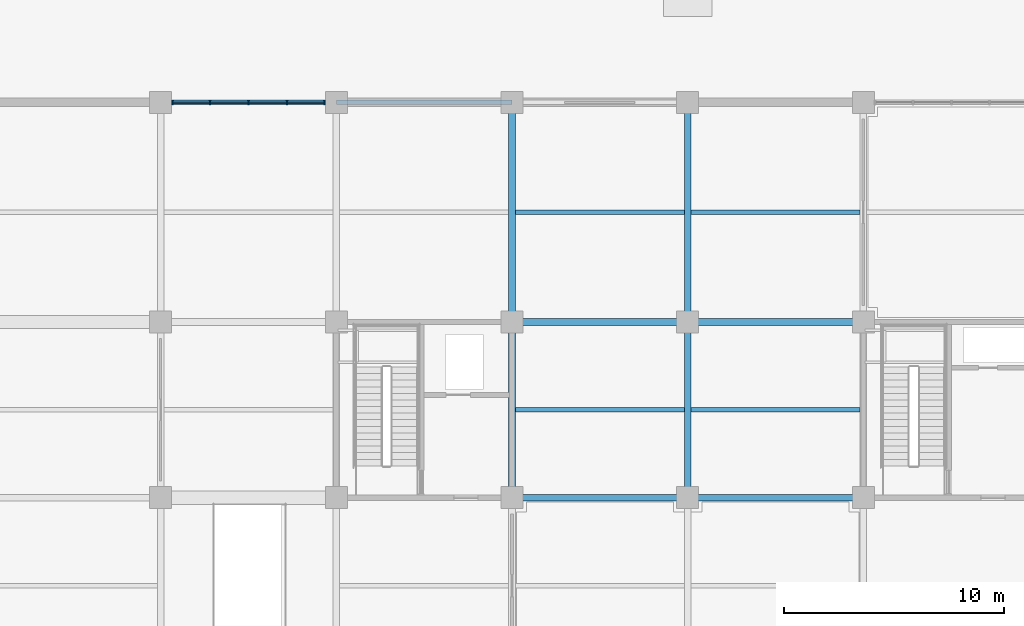
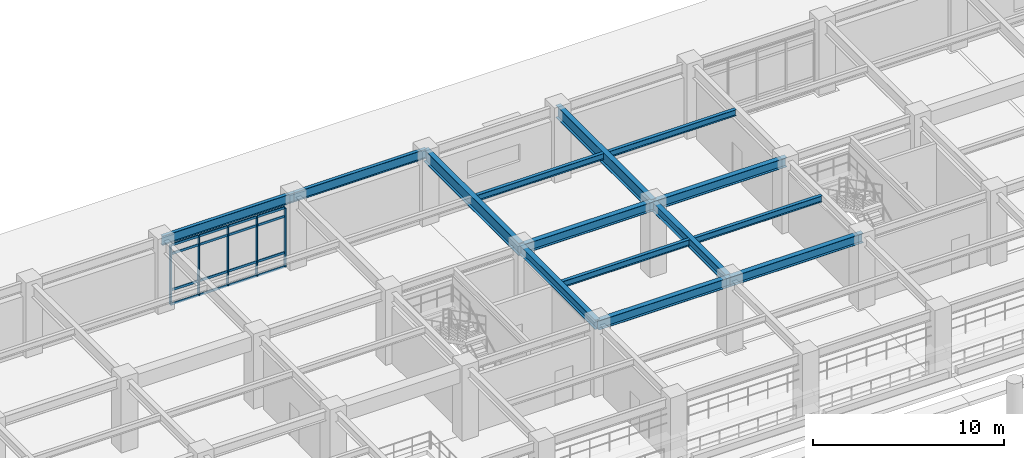
# One storey, part 46 of 117: 21 members, 14 beams, 1 element without a shape of its own.
"""IFC4 building model written with IfcOpenShell, lengths in metres."""

from ifc_helpers import new_model, si_unit, direction, frame, origin, origin_2d, place, context, subcontext, project, spatial, rectangle, i_section, extrude, material, layer, layer_set, material_profile, profile_set, type_object, element, aggregate, save


model = new_model("IFC4")

# Units and contexts
model_context = context("Model", 3, precision=1e-05, world=origin(), true_north=direction((0.0, 1.0)))
body_context = subcontext(model_context, "Body", "Model", "MODEL_VIEW")
ifc_project = project(units=[si_unit("LENGTHUNIT", "METRE"), si_unit("AREAUNIT", "SQUARE_METRE"), si_unit("VOLUMEUNIT", "CUBIC_METRE"), si_unit("PLANEANGLEUNIT", "RADIAN"), si_unit("MASSUNIT", "GRAM", prefix="KILO")], contexts=[model_context])

# Site, building, storey
site_placement = place(None, origin())
site = spatial("IfcSite", under=ifc_project, at=site_placement, CompositionType="ELEMENT")
building_placement = place(site_placement, origin())
building = spatial("IfcBuilding", under=site, at=building_placement, Name="Haebicheon Civic Stadium", CompositionType="ELEMENT")
storey_placement = place(building_placement, frame((0.0, 0.0, 4.800048828125)))
storey = spatial("IfcBuildingStorey", under=building, at=storey_placement, Name="L02", CompositionType="ELEMENT", Elevation=4.800048828125)

# Beams
ifc_material_1 = material(Name="Steel SM355 (S355)", Category="steel")
ifc_material_profile_1 = material_profile(ifc_material_1, i_section(OverallWidth=0.300048828125, OverallDepth=0.60009765625, WebThickness=0.011962890625, FlangeThickness=0.02001953125, at=origin_2d()), Name="H-600x300x12x20")
ifc_profile_set_1 = profile_set([ifc_material_profile_1], Name="Steel SM355 (S355)")
beam_type_1 = type_object("IfcBeamType", Name="BM-ST-H600A", PredefinedType="BEAM", material=ifc_profile_set_1)
for number, where, z_axis, x_axis, name in (
    (1, (96.0, 160.0, 4.219970703125), (0.0, 1.0, 0.0), (-1.0, 0.0, 0.0), "L02 girder 13/W-X"),
    (2, (104.0, 160.0, 4.219970703125), (0.0, 1.0, 0.0), (-1.0, 0.0, 0.0), "L02 girder 14/W-X"),
    (3, (96.0, 160.0, 4.219970703125), (1.0, 0.0, 0.0), (0.0, 1.0, 0.0), "L02 beam W/13-14"),
    (4, (96.0, 168.0, 4.219970703125), (1.0, 0.0, 0.0), (0.0, 1.0, 0.0), "L02 beam X/13-14"),
    (5, (104.0, 160.0, 4.219970703125), (1.0, 0.0, 0.0), (0.0, 1.0, 0.0), "L02 beam W/14-15"),
    (6, (104.0, 168.0, 4.219970703125), (1.0, 0.0, 0.0), (0.0, 1.0, 0.0), "L02 beam X/14-15"),
):
    element("IfcBeam", number, at=place(storey_placement, frame(where, z_axis=z_axis, x_axis=x_axis)), inside=storey, type_object=beam_type_1, material=ifc_profile_set_1, Name=name, PredefinedType="BEAM", context=body_context, shape_type="SweptSolid", body=[
        extrude(i_section(OverallWidth=0.300048828125, OverallDepth=0.60009765625, WebThickness=0.011962890625, FlangeThickness=0.02001953125, at=origin_2d()), origin(), (0.0, 0.0, 1.0), 8.0),
    ])
ifc_material_2 = material(Name="Steel SM490", Category="steel")
ifc_material_profile_2 = material_profile(ifc_material_2, i_section(OverallWidth=0.300048828125, OverallDepth=0.800048828125, WebThickness=0.013916015625, FlangeThickness=0.02587890625, at=origin_2d()), Name="H-800x300x14x26")
ifc_profile_set_2 = profile_set([ifc_material_profile_2], Name="Steel SM490")
beam_type_2 = type_object("IfcBeamType", Name="BM-ST-H800", PredefinedType="BEAM", material=ifc_profile_set_2)
for number, where, z_axis, x_axis, name in (
    (7, (96.0, 168.0, 4.179931640625), (0.0, 1.0, 0.0), (-1.0, 0.0, 0.0), "L02 girder 13/X-Y"),
    (8, (104.0, 168.0, 4.179931640625), (0.0, 1.0, 0.0), (-1.0, 0.0, 0.0), "L02 girder 14/X-Y"),
):
    element("IfcBeam", number, at=place(storey_placement, frame(where, z_axis=z_axis, x_axis=x_axis)), inside=storey, type_object=beam_type_2, material=ifc_profile_set_2, Name=name, PredefinedType="BEAM", context=body_context, shape_type="SweptSolid", body=[
        extrude(i_section(OverallWidth=0.300048828125, OverallDepth=0.800048828125, WebThickness=0.013916015625, FlangeThickness=0.02587890625, at=origin_2d()), origin(), (0.0, 0.0, 1.0), 10.0),
    ])

# Curtain wall, members
ifc_material_3 = material(Name="Anodised aluminium and laminated glass", Category="aluminium")
ifc_layer = layer(ifc_material_3, 0.179931640625, Name="Anodised aluminium and laminated glass")
ifc_layer_set = layer_set([ifc_layer], Name="Anodised aluminium and laminated glass")
curtain_wall_type = type_object("IfcCurtainWallType", Name="CW-7000x3770", PredefinedType="NOTDEFINED", material=ifc_layer_set)
curtain_wall_placement = place(storey_placement, origin())
curtain_wall = element("IfcCurtainWall", 9, at=curtain_wall_placement, inside=storey, type_object=curtain_wall_type, material=ifc_layer_set, Name="L02 unitised curtain wall 046", PredefinedType="NOTDEFINED")
ifc_material_4 = material(Name="Anodised aluminium 6063-T6", Category="aluminium")
ifc_material_profile_3 = material_profile(ifc_material_4, rectangle(XDim=0.070068359375, YDim=0.199951171875, at=origin_2d()), Name="ALU-MULL-70x200")
ifc_profile_set_3 = profile_set([ifc_material_profile_3], Name="Anodised aluminium 6063-T6")
member_type_1 = type_object("IfcMemberType", Name="CWM-200x70", PredefinedType="MULLION", material=ifc_profile_set_3)
member_1_placement = place(storey_placement, frame((80.534912109375, 178.0, 0.0), z_axis=(0.0, 0.0, 1.0), x_axis=(1.0, 0.0, 0.0)))
member_1 = element("IfcMember", 10, at=member_1_placement, type_object=member_type_1, material=ifc_profile_set_3, Name="CW-L02-046 vertical mullion 1", PredefinedType="MULLION", context=body_context, shape_type="SweptSolid", body=[
    extrude(rectangle(XDim=0.070068359375, YDim=0.199951171875, at=origin_2d()), origin(), (0.0, 0.0, 1.0), 3.77001953125),
])
member_2_placement = place(storey_placement, frame((82.25, 178.0, 0.0), z_axis=(0.0, 0.0, 1.0), x_axis=(1.0, 0.0, 0.0)))
member_2 = element("IfcMember", 11, at=member_2_placement, type_object=member_type_1, material=ifc_profile_set_3, Name="CW-L02-046 vertical mullion 2", PredefinedType="MULLION", context=body_context, shape_type="SweptSolid", body=[
    extrude(rectangle(XDim=0.070068359375, YDim=0.199951171875, at=origin_2d()), origin(), (0.0, 0.0, 1.0), 3.77001953125),
])
member_3_placement = place(storey_placement, frame((84.0, 178.0, 0.0), z_axis=(0.0, 0.0, 1.0), x_axis=(1.0, 0.0, 0.0)))
member_3 = element("IfcMember", 12, at=member_3_placement, type_object=member_type_1, material=ifc_profile_set_3, Name="CW-L02-046 vertical mullion 3", PredefinedType="MULLION", context=body_context, shape_type="SweptSolid", body=[
    extrude(rectangle(XDim=0.070068359375, YDim=0.199951171875, at=origin_2d()), origin(), (0.0, 0.0, 1.0), 3.77001953125),
])
member_4_placement = place(storey_placement, frame((85.75, 178.0, 0.0), z_axis=(0.0, 0.0, 1.0), x_axis=(1.0, 0.0, 0.0)))
member_4 = element("IfcMember", 13, at=member_4_placement, type_object=member_type_1, material=ifc_profile_set_3, Name="CW-L02-046 vertical mullion 4", PredefinedType="MULLION", context=body_context, shape_type="SweptSolid", body=[
    extrude(rectangle(XDim=0.070068359375, YDim=0.199951171875, at=origin_2d()), origin(), (0.0, 0.0, 1.0), 3.77001953125),
])
member_5_placement = place(storey_placement, frame((87.465087890625, 178.0, 0.0), z_axis=(0.0, 0.0, 1.0), x_axis=(1.0, 0.0, 0.0)))
member_5 = element("IfcMember", 14, at=member_5_placement, type_object=member_type_1, material=ifc_profile_set_3, Name="CW-L02-046 vertical mullion 5", PredefinedType="MULLION", context=body_context, shape_type="SweptSolid", body=[
    extrude(rectangle(XDim=0.070068359375, YDim=0.199951171875, at=origin_2d()), origin(), (0.0, 0.0, 1.0), 3.77001953125),
])
ifc_material_5 = material(Name="Anodised aluminium 6063-T6", Category="aluminium")
ifc_material_profile_4 = material_profile(ifc_material_5, rectangle(XDim=0.070068359375, YDim=0.14990234375, at=origin_2d()), Name="ALU-TRAN-70x150")
ifc_profile_set_4 = profile_set([ifc_material_profile_4], Name="Anodised aluminium 6063-T6")
member_type_2 = type_object("IfcMemberType", Name="CWT-150x70", PredefinedType="NOTDEFINED", material=ifc_profile_set_4)
member_6_placement = place(storey_placement, frame((80.570068359375, 178.0, 0.0), z_axis=(1.0, 0.0, 0.0), x_axis=(0.0, 1.0, 0.0)))
member_6 = element("IfcMember", 15, at=member_6_placement, type_object=member_type_2, material=ifc_profile_set_4, Name="CW-L02-046 horizontal transom 1.1", ObjectType="TRANSOM", PredefinedType="USERDEFINED", context=body_context, shape_type="SweptSolid", body=[
    extrude(rectangle(XDim=0.070068359375, YDim=0.14990234375, at=origin_2d()), origin(), (0.0, 0.0, 1.0), 1.64501953125),
])
member_7_placement = place(storey_placement, frame((80.570068359375, 178.0, 0.89990234375), z_axis=(1.0, 0.0, 0.0), x_axis=(0.0, 1.0, 0.0)))
member_7 = element("IfcMember", 16, at=member_7_placement, type_object=member_type_2, material=ifc_profile_set_4, Name="CW-L02-046 horizontal transom 1.2", ObjectType="TRANSOM", PredefinedType="USERDEFINED", context=body_context, shape_type="SweptSolid", body=[
    extrude(rectangle(XDim=0.070068359375, YDim=0.14990234375, at=origin_2d()), origin(), (0.0, 0.0, 1.0), 1.64501953125),
])
member_8_placement = place(storey_placement, frame((80.570068359375, 178.0, 3.219970703125), z_axis=(1.0, 0.0, 0.0), x_axis=(0.0, 1.0, 0.0)))
member_8 = element("IfcMember", 17, at=member_8_placement, type_object=member_type_2, material=ifc_profile_set_4, Name="CW-L02-046 horizontal transom 1.3", ObjectType="TRANSOM", PredefinedType="USERDEFINED", context=body_context, shape_type="SweptSolid", body=[
    extrude(rectangle(XDim=0.070068359375, YDim=0.14990234375, at=origin_2d()), origin(), (0.0, 0.0, 1.0), 1.64501953125),
])
member_9_placement = place(storey_placement, frame((80.570068359375, 178.0, 3.77001953125), z_axis=(1.0, 0.0, 0.0), x_axis=(0.0, 1.0, 0.0)))
member_9 = element("IfcMember", 18, at=member_9_placement, type_object=member_type_2, material=ifc_profile_set_4, Name="CW-L02-046 horizontal transom 1.4", ObjectType="TRANSOM", PredefinedType="USERDEFINED", context=body_context, shape_type="SweptSolid", body=[
    extrude(rectangle(XDim=0.070068359375, YDim=0.14990234375, at=origin_2d()), origin(), (0.0, 0.0, 1.0), 1.64501953125),
])
member_10_placement = place(storey_placement, frame((82.284912109375, 178.0, 0.0), z_axis=(1.0, 0.0, 0.0), x_axis=(0.0, 1.0, 0.0)))
member_10 = element("IfcMember", 19, at=member_10_placement, type_object=member_type_2, material=ifc_profile_set_4, Name="CW-L02-046 horizontal transom 2.1", ObjectType="TRANSOM", PredefinedType="USERDEFINED", context=body_context, shape_type="SweptSolid", body=[
    extrude(rectangle(XDim=0.070068359375, YDim=0.14990234375, at=origin_2d()), origin(), (0.0, 0.0, 1.0), 1.68017578125),
])
member_11_placement = place(storey_placement, frame((82.284912109375, 178.0, 0.89990234375), z_axis=(1.0, 0.0, 0.0), x_axis=(0.0, 1.0, 0.0)))
member_11 = element("IfcMember", 20, at=member_11_placement, type_object=member_type_2, material=ifc_profile_set_4, Name="CW-L02-046 horizontal transom 2.2", ObjectType="TRANSOM", PredefinedType="USERDEFINED", context=body_context, shape_type="SweptSolid", body=[
    extrude(rectangle(XDim=0.070068359375, YDim=0.14990234375, at=origin_2d()), origin(), (0.0, 0.0, 1.0), 1.68017578125),
])
member_12_placement = place(storey_placement, frame((82.284912109375, 178.0, 3.219970703125), z_axis=(1.0, 0.0, 0.0), x_axis=(0.0, 1.0, 0.0)))
member_12 = element("IfcMember", 21, at=member_12_placement, type_object=member_type_2, material=ifc_profile_set_4, Name="CW-L02-046 horizontal transom 2.3", ObjectType="TRANSOM", PredefinedType="USERDEFINED", context=body_context, shape_type="SweptSolid", body=[
    extrude(rectangle(XDim=0.070068359375, YDim=0.14990234375, at=origin_2d()), origin(), (0.0, 0.0, 1.0), 1.68017578125),
])
member_13_placement = place(storey_placement, frame((82.284912109375, 178.0, 3.77001953125), z_axis=(1.0, 0.0, 0.0), x_axis=(0.0, 1.0, 0.0)))
member_13 = element("IfcMember", 22, at=member_13_placement, type_object=member_type_2, material=ifc_profile_set_4, Name="CW-L02-046 horizontal transom 2.4", ObjectType="TRANSOM", PredefinedType="USERDEFINED", context=body_context, shape_type="SweptSolid", body=[
    extrude(rectangle(XDim=0.070068359375, YDim=0.14990234375, at=origin_2d()), origin(), (0.0, 0.0, 1.0), 1.68017578125),
])
member_14_placement = place(storey_placement, frame((84.034912109375, 178.0, 0.0), z_axis=(1.0, 0.0, 0.0), x_axis=(0.0, 1.0, 0.0)))
member_14 = element("IfcMember", 23, at=member_14_placement, type_object=member_type_2, material=ifc_profile_set_4, Name="CW-L02-046 horizontal transom 3.1", ObjectType="TRANSOM", PredefinedType="USERDEFINED", context=body_context, shape_type="SweptSolid", body=[
    extrude(rectangle(XDim=0.070068359375, YDim=0.14990234375, at=origin_2d()), origin(), (0.0, 0.0, 1.0), 1.68017578125),
])
member_15_placement = place(storey_placement, frame((84.034912109375, 178.0, 0.89990234375), z_axis=(1.0, 0.0, 0.0), x_axis=(0.0, 1.0, 0.0)))
member_15 = element("IfcMember", 24, at=member_15_placement, type_object=member_type_2, material=ifc_profile_set_4, Name="CW-L02-046 horizontal transom 3.2", ObjectType="TRANSOM", PredefinedType="USERDEFINED", context=body_context, shape_type="SweptSolid", body=[
    extrude(rectangle(XDim=0.070068359375, YDim=0.14990234375, at=origin_2d()), origin(), (0.0, 0.0, 1.0), 1.68017578125),
])
member_16_placement = place(storey_placement, frame((84.034912109375, 178.0, 3.219970703125), z_axis=(1.0, 0.0, 0.0), x_axis=(0.0, 1.0, 0.0)))
member_16 = element("IfcMember", 25, at=member_16_placement, type_object=member_type_2, material=ifc_profile_set_4, Name="CW-L02-046 horizontal transom 3.3", ObjectType="TRANSOM", PredefinedType="USERDEFINED", context=body_context, shape_type="SweptSolid", body=[
    extrude(rectangle(XDim=0.070068359375, YDim=0.14990234375, at=origin_2d()), origin(), (0.0, 0.0, 1.0), 1.68017578125),
])
member_17_placement = place(storey_placement, frame((84.034912109375, 178.0, 3.77001953125), z_axis=(1.0, 0.0, 0.0), x_axis=(0.0, 1.0, 0.0)))
member_17 = element("IfcMember", 26, at=member_17_placement, type_object=member_type_2, material=ifc_profile_set_4, Name="CW-L02-046 horizontal transom 3.4", ObjectType="TRANSOM", PredefinedType="USERDEFINED", context=body_context, shape_type="SweptSolid", body=[
    extrude(rectangle(XDim=0.070068359375, YDim=0.14990234375, at=origin_2d()), origin(), (0.0, 0.0, 1.0), 1.68017578125),
])
member_18_placement = place(storey_placement, frame((85.784912109375, 178.0, 0.0), z_axis=(1.0, 0.0, 0.0), x_axis=(0.0, 1.0, 0.0)))
member_18 = element("IfcMember", 27, at=member_18_placement, type_object=member_type_2, material=ifc_profile_set_4, Name="CW-L02-046 horizontal transom 4.1", ObjectType="TRANSOM", PredefinedType="USERDEFINED", context=body_context, shape_type="SweptSolid", body=[
    extrude(rectangle(XDim=0.070068359375, YDim=0.14990234375, at=origin_2d()), origin(), (0.0, 0.0, 1.0), 1.64501953125),
])
member_19_placement = place(storey_placement, frame((85.784912109375, 178.0, 0.89990234375), z_axis=(1.0, 0.0, 0.0), x_axis=(0.0, 1.0, 0.0)))
member_19 = element("IfcMember", 28, at=member_19_placement, type_object=member_type_2, material=ifc_profile_set_4, Name="CW-L02-046 horizontal transom 4.2", ObjectType="TRANSOM", PredefinedType="USERDEFINED", context=body_context, shape_type="SweptSolid", body=[
    extrude(rectangle(XDim=0.070068359375, YDim=0.14990234375, at=origin_2d()), origin(), (0.0, 0.0, 1.0), 1.64501953125),
])
member_20_placement = place(storey_placement, frame((85.784912109375, 178.0, 3.219970703125), z_axis=(1.0, 0.0, 0.0), x_axis=(0.0, 1.0, 0.0)))
member_20 = element("IfcMember", 29, at=member_20_placement, type_object=member_type_2, material=ifc_profile_set_4, Name="CW-L02-046 horizontal transom 4.3", ObjectType="TRANSOM", PredefinedType="USERDEFINED", context=body_context, shape_type="SweptSolid", body=[
    extrude(rectangle(XDim=0.070068359375, YDim=0.14990234375, at=origin_2d()), origin(), (0.0, 0.0, 1.0), 1.64501953125),
])
member_21_placement = place(storey_placement, frame((85.784912109375, 178.0, 3.77001953125), z_axis=(1.0, 0.0, 0.0), x_axis=(0.0, 1.0, 0.0)))
member_21 = element("IfcMember", 30, at=member_21_placement, type_object=member_type_2, material=ifc_profile_set_4, Name="CW-L02-046 horizontal transom 4.4", ObjectType="TRANSOM", PredefinedType="USERDEFINED", context=body_context, shape_type="SweptSolid", body=[
    extrude(rectangle(XDim=0.070068359375, YDim=0.14990234375, at=origin_2d()), origin(), (0.0, 0.0, 1.0), 1.64501953125),
])
aggregate(curtain_wall, [member_1, member_2, member_3, member_4, member_5, member_6, member_7, member_8, member_9, member_10, member_11, member_12, member_13, member_14, member_15, member_16, member_17, member_18, member_19, member_20, member_21])

# Beams
ifc_material_6 = material(Name="Steel SM355 (S355)", Category="steel")
ifc_material_profile_5 = material_profile(ifc_material_6, i_section(OverallWidth=0.199951171875, OverallDepth=0.39990234375, WebThickness=0.008056640625, FlangeThickness=0.012939453125, at=origin_2d()), Name="H-400x200x8x13")
ifc_profile_set_5 = profile_set([ifc_material_profile_5], Name="Steel SM355 (S355)")
beam_type_3 = type_object("IfcBeamType", Name="JST-ST-H400", PredefinedType="JOIST", material=ifc_profile_set_5)
for number, where, z_axis, x_axis, name in (
    (31, (96.14990234375, 164.0, 4.320068359375), (1.0, 0.0, 0.0), (0.0, 1.0, 0.0), "L02 secondary joist 12-20"),
    (32, (96.14990234375, 173.0, 4.3798828125), (1.0, 0.0, 0.0), (0.0, 1.0, 0.0), "L02 secondary joist 12-21"),
    (33, (104.14990234375, 164.0, 4.320068359375), (1.0, 0.0, 0.0), (0.0, 1.0, 0.0), "L02 secondary joist 13-20"),
    (34, (104.14990234375, 173.0, 4.3798828125), (1.0, 0.0, 0.0), (0.0, 1.0, 0.0), "L02 secondary joist 13-21"),
):
    element("IfcBeam", number, at=place(storey_placement, frame(where, z_axis=z_axis, x_axis=x_axis)), inside=storey, type_object=beam_type_3, material=ifc_profile_set_5, Name=name, PredefinedType="JOIST", context=body_context, shape_type="SweptSolid", body=[
        extrude(i_section(OverallWidth=0.199951171875, OverallDepth=0.39990234375, WebThickness=0.008056640625, FlangeThickness=0.012939453125, at=origin_2d()), origin(), (0.0, 0.0, 1.0), 7.7001953125),
    ])
ifc_material_7 = material(Name="Steel SM355 (S355)", Category="steel")
ifc_material_profile_6 = material_profile(ifc_material_7, i_section(OverallWidth=0.199951171875, OverallDepth=0.60009765625, WebThickness=0.010986328125, FlangeThickness=0.01708984375, at=origin_2d()), Name="H-600x200x11x17")
ifc_profile_set_6 = profile_set([ifc_material_profile_6], Name="Steel SM355 (S355)")
beam_type_4 = type_object("IfcBeamType", Name="SPD-ST-H600B", PredefinedType="SPANDREL", material=ifc_profile_set_6)
for number, where, z_axis, x_axis, name in (
    (35, (80.0, 178.0, 4.280029296875), (1.0, 0.0, 0.0), (0.0, 1.0, 0.0), "L02 beam Y/11-12"),
    (36, (88.0, 178.0, 4.280029296875), (1.0, 0.0, 0.0), (0.0, 1.0, 0.0), "L02 beam Y/12-13"),
):
    element("IfcBeam", number, at=place(storey_placement, frame(where, z_axis=z_axis, x_axis=x_axis)), inside=storey, type_object=beam_type_4, material=ifc_profile_set_6, Name=name, PredefinedType="SPANDREL", context=body_context, shape_type="SweptSolid", body=[
        extrude(i_section(OverallWidth=0.199951171875, OverallDepth=0.60009765625, WebThickness=0.010986328125, FlangeThickness=0.01708984375, at=origin_2d()), origin(), (0.0, 0.0, 1.0), 8.0),
    ])

save(model, "model.ifc")
